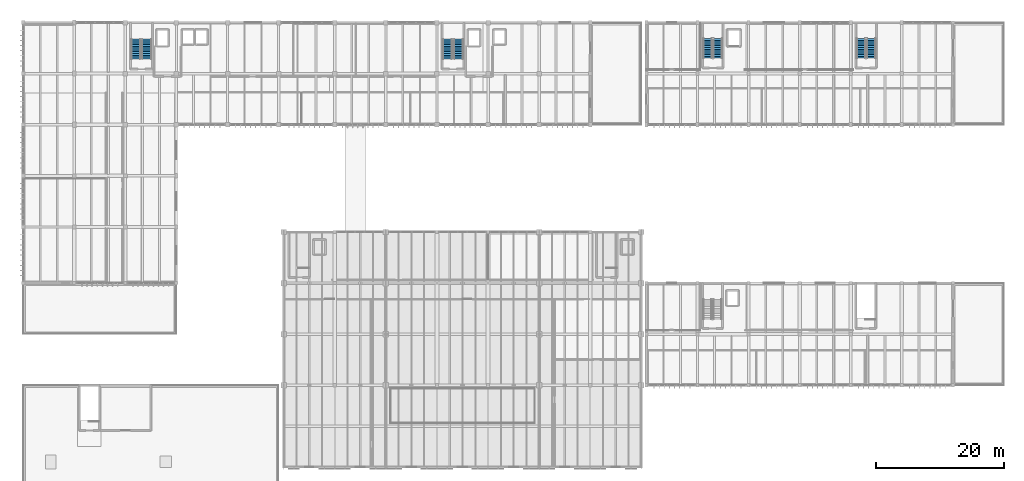
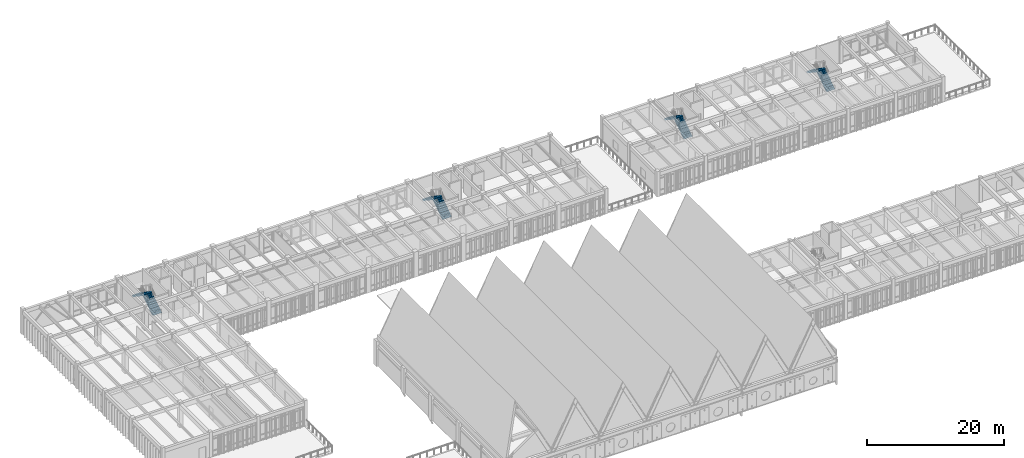
# One storey, part 57 of 72: 8 stair flights, 4 elements without a shape of their own.
"""IFC4 building model written with IfcOpenShell, lengths in metres."""

from ifc_helpers import new_model, si_unit, direction, frame, origin, place, context, subcontext, project, spatial, polyline, outline, extrude, material, type_object, element, aggregate, save


model = new_model("IFC4")

# Units and contexts
model_context = context("Model", 3, precision=1e-05, world=origin(), true_north=direction((0.0, 1.0)))
body_context = subcontext(model_context, "Body", "Model", "MODEL_VIEW")
ifc_project = project(units=[si_unit("LENGTHUNIT", "METRE"), si_unit("AREAUNIT", "SQUARE_METRE"), si_unit("VOLUMEUNIT", "CUBIC_METRE"), si_unit("PLANEANGLEUNIT", "RADIAN"), si_unit("MASSUNIT", "GRAM", prefix="KILO")], contexts=[model_context])

# Site, building, storey
site_placement = place(None, origin())
site = spatial("IfcSite", under=ifc_project, at=site_placement, CompositionType="ELEMENT")
building_placement = place(site_placement, origin())
building = spatial("IfcBuilding", under=site, at=building_placement, Name="Tlaxcora Railside Police Headquarters", CompositionType="ELEMENT")
storey_placement = place(building_placement, frame((0.0, 0.0, 13.5)))
storey = spatial("IfcBuildingStorey", under=building, at=storey_placement, Name="L03", CompositionType="ELEMENT", Elevation=13.5)

# Stair, stair flights
ifc_material = material(Name="Concrete C40/50", Category="concrete")
stair_type_1 = type_object("IfcStairType", Name="Half-Turn Dog-Leg Stair ST-28", PredefinedType="HALF_TURN_STAIR", material=ifc_material)
stair_1_placement = place(storey_placement, origin())
stair_1 = element("IfcStair", 1, at=stair_1_placement, inside=storey, type_object=stair_type_1, Name="L03 ST1", PredefinedType="HALF_TURN_STAIR")
stair_flight_type_1 = type_object("IfcStairFlightType", Name="Straight Stair Flight SF-32", PredefinedType="STRAIGHT", material=ifc_material)
stair_flight_1_placement = place(storey_placement, frame((24.56005859375, 87.110107421875, 0.0), z_axis=(0.0, 0.0, 1.0), x_axis=(0.0, 1.0, 0.0)))
stair_flight_1 = element("IfcStairFlight", 2, at=stair_flight_1_placement, type_object=stair_flight_type_1, Name="ST1 flight 1", NumberOfRisers=12, NumberOfTreads=11, PredefinedType="STRAIGHT", RiserHeight=0.1875, TreadLength=0.28, context=body_context, shape_type="SweptSolid", body=[
    extrude(outline(polyline([(0.0, 0.0), (0.0, 0.1875), (0.280029296875, 0.1875), (0.280029296875, 0.375), (0.56005859375, 0.375), (0.56005859375, 0.5625), (0.840087890625, 0.5625), (0.840087890625, 0.75), (1.1201171875, 0.75), (1.1201171875, 0.9375), (1.39990234375, 0.9375), (1.39990234375, 1.125), (1.679931640625, 1.125), (1.679931640625, 1.3125), (1.9599609375, 1.3125), (1.9599609375, 1.5), (2.239990234375, 1.5), (2.239990234375, 1.6875), (2.52001953125, 1.6875), (2.52001953125, 1.875), (2.800048828125, 1.875), (2.800048828125, 2.0625), (3.080078125, 2.0625), (3.080078125, 2.25), (3.080078125, 1.882080078125), (0.26953125, 0.0), (0.0, 0.0)])), frame((0.0, 0.75, 0.0), z_axis=(0.0, -1.0, 0.0), x_axis=(1.0, 0.0, 0.0)), (0.0, 0.0, 1.0), 1.5),
])
stair_flight_2_placement = place(storey_placement, frame((22.860107421875, 90.18994140625, 2.25), z_axis=(0.0, 0.0, 1.0), x_axis=(0.0, -1.0, 0.0)))
stair_flight_2 = element("IfcStairFlight", 3, at=stair_flight_2_placement, type_object=stair_flight_type_1, Name="ST1 flight 2", NumberOfRisers=12, NumberOfTreads=11, PredefinedType="STRAIGHT", RiserHeight=0.1875, TreadLength=0.28, context=body_context, shape_type="SweptSolid", body=[
    extrude(outline(polyline([(0.0, 0.0), (0.0, 0.1875), (0.280029296875, 0.1875), (0.280029296875, 0.375), (0.56005859375, 0.375), (0.56005859375, 0.5625), (0.840087890625, 0.5625), (0.840087890625, 0.75), (1.1201171875, 0.75), (1.1201171875, 0.9375), (1.39990234375, 0.9375), (1.39990234375, 1.125), (1.679931640625, 1.125), (1.679931640625, 1.3125), (1.9599609375, 1.3125), (1.9599609375, 1.5), (2.239990234375, 1.5), (2.239990234375, 1.6875), (2.52001953125, 1.6875), (2.52001953125, 1.875), (2.800048828125, 1.875), (2.800048828125, 2.0625), (3.080078125, 2.0625), (3.080078125, 2.25), (3.080078125, 1.882080078125), (0.26953125, 0.0), (0.0, 0.0)])), frame((0.0, 0.75, 0.0), z_axis=(0.0, -1.0, 0.0), x_axis=(1.0, 0.0, 0.0)), (0.0, 0.0, 1.0), 1.5),
])
aggregate(stair_1, [stair_flight_1, stair_flight_2])

stair_2_placement = place(storey_placement, origin())
stair_2 = element("IfcStair", 4, at=stair_2_placement, inside=storey, type_object=stair_type_1, Name="L03 ST2", PredefinedType="HALF_TURN_STAIR")
stair_flight_3_placement = place(storey_placement, frame((73.360107421875, 87.110107421875, 0.0), z_axis=(0.0, 0.0, 1.0), x_axis=(0.0, 1.0, 0.0)))
stair_flight_3 = element("IfcStairFlight", 5, at=stair_flight_3_placement, type_object=stair_flight_type_1, Name="ST2 flight 1", NumberOfRisers=12, NumberOfTreads=11, PredefinedType="STRAIGHT", RiserHeight=0.1875, TreadLength=0.28, context=body_context, shape_type="SweptSolid", body=[
    extrude(outline(polyline([(0.0, 0.0), (0.0, 0.1875), (0.280029296875, 0.1875), (0.280029296875, 0.375), (0.56005859375, 0.375), (0.56005859375, 0.5625), (0.840087890625, 0.5625), (0.840087890625, 0.75), (1.1201171875, 0.75), (1.1201171875, 0.9375), (1.39990234375, 0.9375), (1.39990234375, 1.125), (1.679931640625, 1.125), (1.679931640625, 1.3125), (1.9599609375, 1.3125), (1.9599609375, 1.5), (2.239990234375, 1.5), (2.239990234375, 1.6875), (2.52001953125, 1.6875), (2.52001953125, 1.875), (2.800048828125, 1.875), (2.800048828125, 2.0625), (3.080078125, 2.0625), (3.080078125, 2.25), (3.080078125, 1.882080078125), (0.26953125, 0.0), (0.0, 0.0)])), frame((0.0, 0.75, 0.0), z_axis=(0.0, -1.0, 0.0), x_axis=(1.0, 0.0, 0.0)), (0.0, 0.0, 1.0), 1.5),
])
stair_flight_4_placement = place(storey_placement, frame((71.659912109375, 90.18994140625, 2.25), z_axis=(0.0, 0.0, 1.0), x_axis=(0.0, -1.0, 0.0)))
stair_flight_4 = element("IfcStairFlight", 6, at=stair_flight_4_placement, type_object=stair_flight_type_1, Name="ST2 flight 2", NumberOfRisers=12, NumberOfTreads=11, PredefinedType="STRAIGHT", RiserHeight=0.1875, TreadLength=0.28, context=body_context, shape_type="SweptSolid", body=[
    extrude(outline(polyline([(0.0, 0.0), (0.0, 0.1875), (0.280029296875, 0.1875), (0.280029296875, 0.375), (0.56005859375, 0.375), (0.56005859375, 0.5625), (0.840087890625, 0.5625), (0.840087890625, 0.75), (1.1201171875, 0.75), (1.1201171875, 0.9375), (1.39990234375, 0.9375), (1.39990234375, 1.125), (1.679931640625, 1.125), (1.679931640625, 1.3125), (1.9599609375, 1.3125), (1.9599609375, 1.5), (2.239990234375, 1.5), (2.239990234375, 1.6875), (2.52001953125, 1.6875), (2.52001953125, 1.875), (2.800048828125, 1.875), (2.800048828125, 2.0625), (3.080078125, 2.0625), (3.080078125, 2.25), (3.080078125, 1.882080078125), (0.26953125, 0.0), (0.0, 0.0)])), frame((0.0, 0.75, 0.0), z_axis=(0.0, -1.0, 0.0), x_axis=(1.0, 0.0, 0.0)), (0.0, 0.0, 1.0), 1.5),
])
aggregate(stair_2, [stair_flight_3, stair_flight_4])

stair_type_2 = type_object("IfcStairType", Name="Half-Turn Dog-Leg Stair ST-58", PredefinedType="HALF_TURN_STAIR", material=ifc_material)
stair_3_placement = place(storey_placement, origin())
stair_3 = element("IfcStair", 7, at=stair_3_placement, inside=storey, type_object=stair_type_2, Name="L03 ST3", PredefinedType="HALF_TURN_STAIR")
stair_flight_type_2 = type_object("IfcStairFlightType", Name="Straight Stair Flight SF-60", PredefinedType="STRAIGHT", material=ifc_material)
stair_flight_5_placement = place(storey_placement, frame((114.010009765625, 87.2099609375, 0.0), z_axis=(0.0, 0.0, 1.0), x_axis=(0.0, 1.0, 0.0)))
stair_flight_5 = element("IfcStairFlight", 8, at=stair_flight_5_placement, type_object=stair_flight_type_2, Name="ST3 flight 1", NumberOfRisers=12, NumberOfTreads=11, PredefinedType="STRAIGHT", RiserHeight=0.1875, TreadLength=0.28, context=body_context, shape_type="SweptSolid", body=[
    extrude(outline(polyline([(0.0, 0.0), (0.0, 0.1875), (0.280029296875, 0.1875), (0.280029296875, 0.375), (0.56005859375, 0.375), (0.56005859375, 0.5625), (0.840087890625, 0.5625), (0.840087890625, 0.75), (1.1201171875, 0.75), (1.1201171875, 0.9375), (1.39990234375, 0.9375), (1.39990234375, 1.125), (1.679931640625, 1.125), (1.679931640625, 1.3125), (1.9599609375, 1.3125), (1.9599609375, 1.5), (2.239990234375, 1.5), (2.239990234375, 1.6875), (2.52001953125, 1.6875), (2.52001953125, 1.875), (2.800048828125, 1.875), (2.800048828125, 2.0625), (3.080078125, 2.0625), (3.080078125, 2.25), (3.080078125, 1.882080078125), (0.26953125, 0.0), (0.0, 0.0)])), frame((0.0, 0.699951171875, 0.0), z_axis=(0.0, -1.0, 0.0), x_axis=(1.0, 0.0, 0.0)), (0.0, 0.0, 1.0), 1.39990234375),
])
stair_flight_6_placement = place(storey_placement, frame((112.409912109375, 90.2900390625, 2.25), z_axis=(0.0, 0.0, 1.0), x_axis=(0.0, -1.0, 0.0)))
stair_flight_6 = element("IfcStairFlight", 9, at=stair_flight_6_placement, type_object=stair_flight_type_2, Name="ST3 flight 2", NumberOfRisers=12, NumberOfTreads=11, PredefinedType="STRAIGHT", RiserHeight=0.1875, TreadLength=0.28, context=body_context, shape_type="SweptSolid", body=[
    extrude(outline(polyline([(0.0, 0.0), (0.0, 0.1875), (0.280029296875, 0.1875), (0.280029296875, 0.375), (0.56005859375, 0.375), (0.56005859375, 0.5625), (0.840087890625, 0.5625), (0.840087890625, 0.75), (1.1201171875, 0.75), (1.1201171875, 0.9375), (1.39990234375, 0.9375), (1.39990234375, 1.125), (1.679931640625, 1.125), (1.679931640625, 1.3125), (1.9599609375, 1.3125), (1.9599609375, 1.5), (2.239990234375, 1.5), (2.239990234375, 1.6875), (2.52001953125, 1.6875), (2.52001953125, 1.875), (2.800048828125, 1.875), (2.800048828125, 2.0625), (3.080078125, 2.0625), (3.080078125, 2.25), (3.080078125, 1.882080078125), (0.26953125, 0.0), (0.0, 0.0)])), frame((0.0, 0.699951171875, 0.0), z_axis=(0.0, -1.0, 0.0), x_axis=(1.0, 0.0, 0.0)), (0.0, 0.0, 1.0), 1.39990234375),
])
aggregate(stair_3, [stair_flight_5, stair_flight_6])

stair_4_placement = place(storey_placement, origin())
stair_4 = element("IfcStair", 10, at=stair_4_placement, inside=storey, type_object=stair_type_2, Name="L03 ST8", PredefinedType="HALF_TURN_STAIR")
stair_flight_7_placement = place(storey_placement, frame((138.010009765625, 87.2099609375, 0.0), z_axis=(0.0, 0.0, 1.0), x_axis=(0.0, 1.0, 0.0)))
stair_flight_7 = element("IfcStairFlight", 11, at=stair_flight_7_placement, type_object=stair_flight_type_2, Name="ST8 flight 1", NumberOfRisers=12, NumberOfTreads=11, PredefinedType="STRAIGHT", RiserHeight=0.1875, TreadLength=0.28, context=body_context, shape_type="SweptSolid", body=[
    extrude(outline(polyline([(0.0, 0.0), (0.0, 0.1875), (0.280029296875, 0.1875), (0.280029296875, 0.375), (0.56005859375, 0.375), (0.56005859375, 0.5625), (0.840087890625, 0.5625), (0.840087890625, 0.75), (1.1201171875, 0.75), (1.1201171875, 0.9375), (1.39990234375, 0.9375), (1.39990234375, 1.125), (1.679931640625, 1.125), (1.679931640625, 1.3125), (1.9599609375, 1.3125), (1.9599609375, 1.5), (2.239990234375, 1.5), (2.239990234375, 1.6875), (2.52001953125, 1.6875), (2.52001953125, 1.875), (2.800048828125, 1.875), (2.800048828125, 2.0625), (3.080078125, 2.0625), (3.080078125, 2.25), (3.080078125, 1.882080078125), (0.26953125, 0.0), (0.0, 0.0)])), frame((0.0, 0.699951171875, 0.0), z_axis=(0.0, -1.0, 0.0), x_axis=(1.0, 0.0, 0.0)), (0.0, 0.0, 1.0), 1.39990234375),
])
stair_flight_8_placement = place(storey_placement, frame((136.409912109375, 90.2900390625, 2.25), z_axis=(0.0, 0.0, 1.0), x_axis=(0.0, -1.0, 0.0)))
stair_flight_8 = element("IfcStairFlight", 12, at=stair_flight_8_placement, type_object=stair_flight_type_2, Name="ST8 flight 2", NumberOfRisers=12, NumberOfTreads=11, PredefinedType="STRAIGHT", RiserHeight=0.1875, TreadLength=0.28, context=body_context, shape_type="SweptSolid", body=[
    extrude(outline(polyline([(0.0, 0.0), (0.0, 0.1875), (0.280029296875, 0.1875), (0.280029296875, 0.375), (0.56005859375, 0.375), (0.56005859375, 0.5625), (0.840087890625, 0.5625), (0.840087890625, 0.75), (1.1201171875, 0.75), (1.1201171875, 0.9375), (1.39990234375, 0.9375), (1.39990234375, 1.125), (1.679931640625, 1.125), (1.679931640625, 1.3125), (1.9599609375, 1.3125), (1.9599609375, 1.5), (2.239990234375, 1.5), (2.239990234375, 1.6875), (2.52001953125, 1.6875), (2.52001953125, 1.875), (2.800048828125, 1.875), (2.800048828125, 2.0625), (3.080078125, 2.0625), (3.080078125, 2.25), (3.080078125, 1.882080078125), (0.26953125, 0.0), (0.0, 0.0)])), frame((0.0, 0.699951171875, 0.0), z_axis=(0.0, -1.0, 0.0), x_axis=(1.0, 0.0, 0.0)), (0.0, 0.0, 1.0), 1.39990234375),
])
aggregate(stair_4, [stair_flight_7, stair_flight_8])

save(model, "model.ifc")
